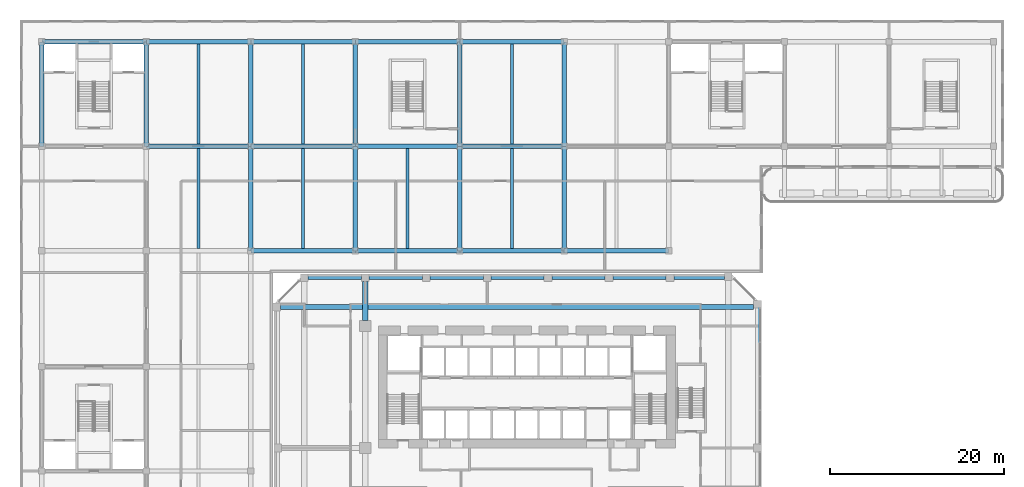
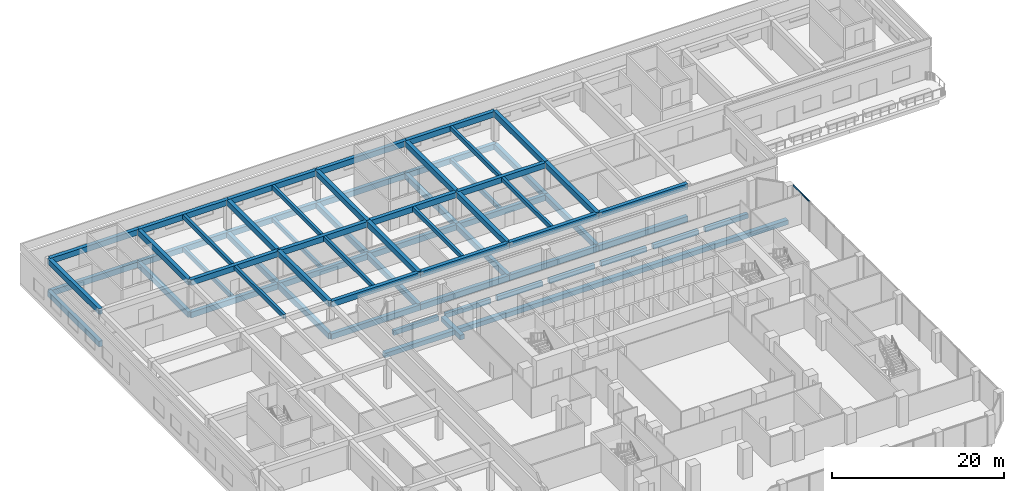
# One storey, part 9 of 35: 65 beams, 1 member, 1 element without a shape of its own.
"""IFC4 building model written with IfcOpenShell, lengths in metres."""

import ifcopenshell
import ifcopenshell.guid

model = None  # the IFC model being written
_history = None  # IfcOwnerHistory: only IFC2X3 demands one
_inside = {}  # id of a spatial element -> (the spatial element, [elements in it])
_under = {}  # id of a project, library or spatial element -> (it, [spatial elements below it])
_declared = {}  # id of a project -> (the project, [libraries it declares])
_typed = {}  # id of a type object -> (the type object, [elements of that type])
_made_of = {}  # id of a material, layer set ... -> (it, [elements and type objects made of it])


def new_model(schema):
    """Start an empty IFC model of exactly this schema.

    Asked for "IFC4X3", IfcOpenShell would pick the latest addendum, in which some entities
    have other attributes; the version numbers below select the first issue.
    IFC2X3 requires an IfcOwnerHistory on every rooted entity: one is made here for all.
    """
    global model, _history
    if schema == "IFC4X3":
        model = ifcopenshell.file(schema_version=(4, 3, 0, 0))
    else:
        model = ifcopenshell.file(schema=schema)
    _inside.clear()
    _under.clear()
    _declared.clear()
    _typed.clear()
    _made_of.clear()
    _history = None
    if model.schema == "IFC2X3":
        org = make("IfcOrganization", Name="unknown")
        user = make(
            "IfcPersonAndOrganization",
            ThePerson=make("IfcPerson", FamilyName="unknown"),
            TheOrganization=org,
        )
        app = make(
            "IfcApplication",
            ApplicationDeveloper=org,
            Version="unknown",
            ApplicationFullName="unknown",
            ApplicationIdentifier="unknown",
        )
        _history = make(
            "IfcOwnerHistory",
            OwningUser=user,
            OwningApplication=app,
            ChangeAction="ADDED",
            CreationDate=0,
        )
    return model


def make(cls, **values):
    """One entity of the class cls with the attributes given. An attribute that is None is left unset."""
    return model.create_entity(
        cls, **{name: value for name, value in values.items() if value is not None}
    )


def rooted(cls, **values):
    """An entity with a GlobalId (a new one), such as an element, a storey or a relation."""
    return make(cls, GlobalId=ifcopenshell.guid.new(), OwnerHistory=_history, **values)


def si_unit(unit_type, name, prefix=None):
    """IfcSIUnit, for example si_unit("LENGTHUNIT", "METRE", prefix="MILLI")."""
    return make("IfcSIUnit", UnitType=unit_type, Prefix=prefix, Name=name)


def assignment(units):
    """IfcUnitAssignment: the units of a project."""
    return None if units is None else make("IfcUnitAssignment", Units=units)


def point(xyz):
    """IfcCartesianPoint."""
    return None if xyz is None else make("IfcCartesianPoint", Coordinates=xyz)


def direction(xyz):
    """IfcDirection."""
    return None if xyz is None else make("IfcDirection", DirectionRatios=xyz)


def frame(location, z_axis=None, x_axis=None):
    """IfcAxis2Placement3D, a coordinate frame: its origin and axes. An axis left out is left unset."""
    return make(
        "IfcAxis2Placement3D",
        Location=point(location),
        Axis=direction(z_axis),
        RefDirection=direction(x_axis),
    )


def frame_2d(location, x_axis=None):
    """IfcAxis2Placement2D, a coordinate frame in the plane: its origin and x axis."""
    return make(
        "IfcAxis2Placement2D", Location=point(location), RefDirection=direction(x_axis)
    )


def origin():
    """The frame at (0, 0, 0) with its axes left unset."""
    return frame((0.0, 0.0, 0.0))


def origin_2d():
    """The frame at (0, 0) in the plane with its x axis left unset."""
    return frame_2d((0.0, 0.0))


def place(relative_to, where):
    """IfcLocalPlacement: puts the frame where relative to a parent placement (None: the world)."""
    return make(
        "IfcLocalPlacement", PlacementRelTo=relative_to, RelativePlacement=where
    )


def context(
    kind, dimensions, precision=None, world=None, true_north=None, identifier=None
):
    """IfcGeometricRepresentationContext, for example the 3D "Model" context."""
    return make(
        "IfcGeometricRepresentationContext",
        ContextIdentifier=identifier,
        ContextType=kind,
        CoordinateSpaceDimension=dimensions,
        Precision=precision,
        WorldCoordinateSystem=world,
        TrueNorth=true_north,
    )


def subcontext(parent, identifier, kind, view, scale=None):
    """IfcGeometricRepresentationSubContext, for example "Body" below "Model"."""
    return make(
        "IfcGeometricRepresentationSubContext",
        ContextIdentifier=identifier,
        ContextType=kind,
        ParentContext=parent,
        TargetScale=scale,
        TargetView=view,
    )


def project(units=None, contexts=None):
    """IfcProject with its units and contexts."""
    return rooted(
        "IfcProject",
        Name="project",
        RepresentationContexts=contexts,
        UnitsInContext=assignment(units),
    )


def spatial(cls, under=None, at=None, **own):
    """A site, building, storey or space (cls), placed at a placement, below another one or the project."""
    s = rooted(cls, ObjectPlacement=at, **own)
    if under is not None:
        _under.setdefault(under.id(), (under, []))[1].append(s)
    return s


def profile(cls, at=None, kind="AREA", **sizes):
    """A parametric profile (cls). Its sizes go by their IFC names, for example OverallWidth=200.0."""
    return make(cls, ProfileType=kind, Position=at, **sizes)


def rectangle(**sizes):
    """IfcRectangleProfileDef."""
    return profile("IfcRectangleProfileDef", **sizes)


def extrude(swept, where, along, depth):
    """IfcExtrudedAreaSolid: the profile swept, set in the frame where, extruded along a direction by depth."""
    return make(
        "IfcExtrudedAreaSolid",
        SweptArea=swept,
        Position=where,
        ExtrudedDirection=direction(along),
        Depth=depth,
    )


def shape(context_of_items, identifier, shape_type, items):
    """IfcShapeRepresentation: the items that make up one representation, for example the "Body"."""
    return make(
        "IfcShapeRepresentation",
        ContextOfItems=context_of_items,
        RepresentationIdentifier=identifier,
        RepresentationType=shape_type,
        Items=items,
    )


def source(mapping_origin, context_of_items, identifier, shape_type, items):
    """IfcRepresentationMap: a shape defined once, which mapped items show again and again."""
    return make(
        "IfcRepresentationMap",
        MappingOrigin=mapping_origin,
        MappedRepresentation=shape(context_of_items, identifier, shape_type, items),
    )


def transform(
    local_origin,
    x_axis=None,
    y_axis=None,
    z_axis=None,
    scale=None,
    scale2=None,
    scale3=None,
    uniform=True,
):
    """IfcCartesianTransformationOperator3D, or its non-uniform kind. x_axis, y_axis, z_axis: its Axis1, 2, 3."""
    if uniform:
        return make(
            "IfcCartesianTransformationOperator3D",
            Axis1=direction(x_axis),
            Axis2=direction(y_axis),
            LocalOrigin=point(local_origin),
            Scale=scale,
            Axis3=direction(z_axis),
        )
    return make(
        "IfcCartesianTransformationOperator3DnonUniform",
        Axis1=direction(x_axis),
        Axis2=direction(y_axis),
        LocalOrigin=point(local_origin),
        Scale=scale,
        Axis3=direction(z_axis),
        Scale2=scale2,
        Scale3=scale3,
    )


def mapped(mapping_source, mapping_target):
    """IfcMappedItem: shows the shape of a source again, moved by a transform."""
    return make(
        "IfcMappedItem", MappingSource=mapping_source, MappingTarget=mapping_target
    )


def material(Name=None, Category=None):
    """IfcMaterial."""
    return make("IfcMaterial", Name=Name, Category=Category)


def material_profile(
    of_material, cross_section, Name=None, Category=None, Priority=None
):
    """IfcMaterialProfile: a cross section and its material."""
    return make(
        "IfcMaterialProfile",
        Name=Name,
        Material=of_material,
        Profile=cross_section,
        Priority=Priority,
        Category=Category,
    )


def profile_set(profiles, Name=None, composite=None):
    """IfcMaterialProfileSet."""
    return make(
        "IfcMaterialProfileSet",
        Name=Name,
        MaterialProfiles=profiles,
        CompositeProfile=composite,
    )


def made_of(thing, what):
    """Note that an element or type object is made of a material, layer set ...; save() writes the relation."""
    if what is not None:
        _made_of.setdefault(what.id(), (what, []))[1].append(thing)
    return thing


def type_object(cls, material=None, **own):
    """A type object (cls), such as IfcWallType, which elements share."""
    return made_of(rooted(cls, **own), material)


def element(
    cls,
    number,
    at=None,
    inside=None,
    cuts=None,
    type_object=None,
    material=None,
    context=None,
    identifier="Body",
    shape_type=None,
    held_by="IfcProductDefinitionShape",
    body=None,
    shapes=None,
    **own,
):
    """One element of the class cls, such as IfcWall. Its Tag is "e" and its number.

    at: its placement. inside: the storey or other place that contains it. cuts: it is an
    opening in that element (IfcRelVoidsElement). A single representation is given by context,
    identifier, shape_type and body (its items); several are given by shapes. held_by: the class
    of the entity that holds the representations. save() writes the other relations.
    """
    e = rooted(cls, Tag="e%d" % number, ObjectPlacement=at, **own)
    if body is not None:
        shapes = [shape(context, identifier, shape_type, body)]
    if shapes is not None:
        e.Representation = make(held_by, Representations=shapes)
    if inside is not None:
        _inside.setdefault(inside.id(), (inside, []))[1].append(e)
    if cuts is not None:
        rooted(
            "IfcRelVoidsElement", RelatingBuildingElement=cuts, RelatedOpeningElement=e
        )
    if type_object is not None:
        _typed.setdefault(type_object.id(), (type_object, []))[1].append(e)
    return made_of(e, material)


def aggregate(whole, parts):
    """IfcRelAggregates: a whole, such as a stair, and the parts it consists of."""
    return rooted("IfcRelAggregates", RelatingObject=whole, RelatedObjects=parts)


def save(model, path):
    """Write the relations noted so far, then the file.

    IfcRelAggregates (storeys below a building ...), IfcRelContainedInSpatialStructure (elements
    in a storey), IfcRelDefinesByType, IfcRelAssociatesMaterial and IfcRelDeclares: one each for
    every whole, place, type object, material and project.
    """
    for whole, parts in _under.values():
        aggregate(whole, parts)
    for where, things in _inside.values():
        rooted(
            "IfcRelContainedInSpatialStructure",
            RelatedElements=things,
            RelatingStructure=where,
        )
    for kind, things in _typed.values():
        rooted("IfcRelDefinesByType", RelatedObjects=things, RelatingType=kind)
    for what, things in _made_of.values():
        rooted("IfcRelAssociatesMaterial", RelatedObjects=things, RelatingMaterial=what)
    for by, libraries in _declared.values():
        rooted("IfcRelDeclares", RelatingContext=by, RelatedDefinitions=libraries)
    model.write(path)


model = new_model("IFC4")

# Units and contexts
model_context = context("Model", 3, precision=1e-05, world=origin(), true_north=direction((0.0, 1.0)))
body_context = subcontext(model_context, "Body", "Model", "MODEL_VIEW")
ifc_project = project(units=[si_unit("LENGTHUNIT", "METRE"), si_unit("AREAUNIT", "SQUARE_METRE"), si_unit("VOLUMEUNIT", "CUBIC_METRE"), si_unit("PLANEANGLEUNIT", "RADIAN"), si_unit("MASSUNIT", "GRAM", prefix="KILO")], contexts=[model_context])

# Site, building, storey
site_placement = place(None, origin())
site = spatial("IfcSite", under=ifc_project, at=site_placement, CompositionType="ELEMENT")
building_placement = place(site_placement, origin())
building = spatial("IfcBuilding", under=site, at=building_placement, Name="Kilnfold Tower and Market Hall", CompositionType="ELEMENT")
storey_placement = place(building_placement, frame((0.0, 0.0, 22.5)))
storey = spatial("IfcBuildingStorey", under=building, at=storey_placement, Name="L04", CompositionType="ELEMENT", Elevation=22.5)

# Beams
ifc_material_1 = material(Name="Concrete C40/50", Category="concrete")
ifc_material_profile_1 = material_profile(ifc_material_1, rectangle(XDim=0.5, YDim=0.800048828125, at=origin_2d()), Name="RC 500x800")
ifc_profile_set_1 = profile_set([ifc_material_profile_1], Name="Concrete C40/50")
beam_type_1 = type_object("IfcBeamType", Name="HALL GIRDER 500X800", PredefinedType="BEAM", material=ifc_profile_set_1)
for number, where, z_axis, x_axis, name in (
    (1, (-54.64990234375, 42.64990234375, -0.800048828125), (0.0, 1.0, 0.0), (-1.0, 0.0, 0.0), "Beam MG2.15"),
    (2, (-54.64990234375, 54.64990234375, -0.800048828125), (1.0, 0.0, 0.0), (0.0, 1.0, 0.0), "Beam MG2.17"),
    (3, (-42.64990234375, 42.64990234375, -0.800048828125), (0.0, 1.0, 0.0), (-1.0, 0.0, 0.0), "Beam MG2.32"),
    (4, (-42.64990234375, 42.64990234375, -0.800048828125), (1.0, 0.0, 0.0), (0.0, 1.0, 0.0), "Beam MG2.33"),
    (5, (-42.64990234375, 54.64990234375, -0.800048828125), (1.0, 0.0, 0.0), (0.0, 1.0, 0.0), "Beam MG2.34"),
    (6, (-30.64990234375, 30.64990234375, -0.800048828125), (0.0, 1.0, 0.0), (-1.0, 0.0, 0.0), "Beam MG2.40"),
    (7, (-30.64990234375, 30.64990234375, -0.800048828125), (1.0, 0.0, 0.0), (0.0, 1.0, 0.0), "Beam MG2.41"),
    (8, (-30.64990234375, 42.64990234375, -0.800048828125), (0.0, 1.0, 0.0), (-1.0, 0.0, 0.0), "Beam MG2.42"),
    (9, (-30.64990234375, 42.64990234375, -0.800048828125), (1.0, 0.0, 0.0), (0.0, 1.0, 0.0), "Beam MG2.43"),
    (10, (-30.64990234375, 54.64990234375, -0.800048828125), (1.0, 0.0, 0.0), (0.0, 1.0, 0.0), "Beam MG2.44"),
    (11, (-18.64990234375, 30.64990234375, -0.800048828125), (0.0, 1.0, 0.0), (-1.0, 0.0, 0.0), "Beam MG2.45"),
    (12, (-18.64990234375, 30.64990234375, -0.800048828125), (1.0, 0.0, 0.0), (0.0, 1.0, 0.0), "Beam MG2.46"),
    (13, (-18.64990234375, 42.64990234375, -0.800048828125), (0.0, 1.0, 0.0), (-1.0, 0.0, 0.0), "Beam MG2.47"),
    (14, (-18.64990234375, 42.64990234375, -0.800048828125), (1.0, 0.0, 0.0), (0.0, 1.0, 0.0), "Beam MG2.48"),
    (15, (-18.64990234375, 54.64990234375, -0.800048828125), (1.0, 0.0, 0.0), (0.0, 1.0, 0.0), "Beam MG2.49"),
    (16, (-6.64990234375, 30.64990234375, -0.800048828125), (0.0, 1.0, 0.0), (-1.0, 0.0, 0.0), "Beam MG2.50"),
    (17, (-6.64990234375, 30.64990234375, -0.800048828125), (1.0, 0.0, 0.0), (0.0, 1.0, 0.0), "Beam MG2.51"),
    (18, (-6.64990234375, 42.64990234375, -0.800048828125), (0.0, 1.0, 0.0), (-1.0, 0.0, 0.0), "Beam MG2.52"),
    (19, (-6.64990234375, 42.64990234375, -0.800048828125), (1.0, 0.0, 0.0), (0.0, 1.0, 0.0), "Beam MG2.53"),
    (20, (-6.64990234375, 54.64990234375, -0.800048828125), (1.0, 0.0, 0.0), (0.0, 1.0, 0.0), "Beam MG2.54"),
    (21, (5.35009765625, 30.64990234375, -0.800048828125), (0.0, 1.0, 0.0), (-1.0, 0.0, 0.0), "Beam MG2.55"),
    (22, (5.35009765625, 30.64990234375, -0.800048828125), (1.0, 0.0, 0.0), (0.0, 1.0, 0.0), "Beam MG2.56"),
    (23, (5.35009765625, 42.64990234375, -0.800048828125), (0.0, 1.0, 0.0), (-1.0, 0.0, 0.0), "Beam MG2.57"),
    (24, (-54.64990234375, 42.64990234375, 3.820068359375), (0.0, 1.0, 0.0), (-1.0, 0.0, 0.0), "Roof beam MG2.R15"),
    (25, (-54.64990234375, 54.64990234375, 3.820068359375), (1.0, 0.0, 0.0), (0.0, 1.0, 0.0), "Roof beam MG2.R17"),
    (26, (-42.64990234375, 42.64990234375, 3.820068359375), (0.0, 1.0, 0.0), (-1.0, 0.0, 0.0), "Roof beam MG2.R30"),
    (27, (-42.64990234375, 42.64990234375, 3.820068359375), (1.0, 0.0, 0.0), (0.0, 1.0, 0.0), "Roof beam MG2.R31"),
    (28, (-42.64990234375, 54.64990234375, 3.820068359375), (1.0, 0.0, 0.0), (0.0, 1.0, 0.0), "Roof beam MG2.R32"),
    (29, (-30.64990234375, 30.64990234375, 3.820068359375), (0.0, 1.0, 0.0), (-1.0, 0.0, 0.0), "Roof beam MG2.R37"),
    (30, (-30.64990234375, 30.64990234375, 3.820068359375), (1.0, 0.0, 0.0), (0.0, 1.0, 0.0), "Roof beam MG2.R38"),
    (31, (-30.64990234375, 42.64990234375, 3.820068359375), (0.0, 1.0, 0.0), (-1.0, 0.0, 0.0), "Roof beam MG2.R39"),
    (32, (-30.64990234375, 42.64990234375, 3.820068359375), (1.0, 0.0, 0.0), (0.0, 1.0, 0.0), "Roof beam MG2.R40"),
    (33, (-30.64990234375, 54.64990234375, 3.820068359375), (1.0, 0.0, 0.0), (0.0, 1.0, 0.0), "Roof beam MG2.R41"),
    (34, (-18.64990234375, 30.64990234375, 3.820068359375), (0.0, 1.0, 0.0), (-1.0, 0.0, 0.0), "Roof beam MG2.R42"),
    (35, (-18.64990234375, 30.64990234375, 3.820068359375), (1.0, 0.0, 0.0), (0.0, 1.0, 0.0), "Roof beam MG2.R43"),
    (36, (-18.64990234375, 42.64990234375, 3.820068359375), (0.0, 1.0, 0.0), (-1.0, 0.0, 0.0), "Roof beam MG2.R44"),
    (37, (-18.64990234375, 42.64990234375, 3.820068359375), (1.0, 0.0, 0.0), (0.0, 1.0, 0.0), "Roof beam MG2.R45"),
    (38, (-18.64990234375, 54.64990234375, 3.820068359375), (1.0, 0.0, 0.0), (0.0, 1.0, 0.0), "Roof beam MG2.R46"),
    (39, (-6.64990234375, 30.64990234375, 3.820068359375), (0.0, 1.0, 0.0), (-1.0, 0.0, 0.0), "Roof beam MG2.R47"),
    (40, (-6.64990234375, 30.64990234375, 3.820068359375), (1.0, 0.0, 0.0), (0.0, 1.0, 0.0), "Roof beam MG2.R48"),
    (41, (-6.64990234375, 42.64990234375, 3.820068359375), (0.0, 1.0, 0.0), (-1.0, 0.0, 0.0), "Roof beam MG2.R49"),
    (42, (-6.64990234375, 42.64990234375, 3.820068359375), (1.0, 0.0, 0.0), (0.0, 1.0, 0.0), "Roof beam MG2.R50"),
    (43, (-6.64990234375, 54.64990234375, 3.820068359375), (1.0, 0.0, 0.0), (0.0, 1.0, 0.0), "Roof beam MG2.R51"),
    (44, (5.35009765625, 30.64990234375, 3.820068359375), (0.0, 1.0, 0.0), (-1.0, 0.0, 0.0), "Roof beam MG2.R52"),
    (45, (5.35009765625, 30.64990234375, 3.820068359375), (1.0, 0.0, 0.0), (0.0, 1.0, 0.0), "Roof beam MG2.R53"),
    (46, (5.35009765625, 42.64990234375, 3.820068359375), (0.0, 1.0, 0.0), (-1.0, 0.0, 0.0), "Roof beam MG2.R54"),
):
    element("IfcBeam", number, at=place(storey_placement, frame(where, z_axis=z_axis, x_axis=x_axis)), inside=storey, type_object=beam_type_1, Name=name, PredefinedType="BEAM", context=body_context, shape_type="SweptSolid", body=[
        extrude(rectangle(XDim=0.5, YDim=0.800048828125, at=origin_2d()), origin(), (0.0, 0.0, 1.0), 12.0),
    ])
ifc_material_2 = material(Name="Concrete C40/50", Category="concrete")
ifc_material_profile_2 = material_profile(ifc_material_2, rectangle(XDim=0.35009765625, YDim=0.60009765625, at=origin_2d()), Name="RC 350x600")
ifc_profile_set_2 = profile_set([ifc_material_profile_2], Name="Concrete C40/50")
beam_type_2 = type_object("IfcBeamType", Name="HALL JOIST 350X600", PredefinedType="BEAM", material=ifc_profile_set_2)
for number, where, z_axis, x_axis, name in (
    (47, (-36.64990234375, 42.89990234375, -0.699951171875), (0.0, 1.0, 0.0), (-1.0, 0.0, 0.0), "Beam MJ1.7"),
    (48, (-24.64990234375, 42.89990234375, -0.699951171875), (0.0, 1.0, 0.0), (-1.0, 0.0, 0.0), "Beam MJ1.8"),
    (49, (-0.64990234375, 42.89990234375, -0.699951171875), (0.0, 1.0, 0.0), (-1.0, 0.0, 0.0), "Beam MJ1.9"),
    (50, (-36.64990234375, 30.89990234375, 3.919921875), (0.0, 1.0, 0.0), (-1.0, 0.0, 0.0), "Roof beam MJ1.R7"),
    (51, (-36.64990234375, 42.89990234375, 3.919921875), (0.0, 1.0, 0.0), (-1.0, 0.0, 0.0), "Roof beam MJ1.R8"),
    (52, (-24.64990234375, 30.89990234375, 3.919921875), (0.0, 1.0, 0.0), (-1.0, 0.0, 0.0), "Roof beam MJ1.R9"),
    (53, (-24.64990234375, 42.89990234375, 3.919921875), (0.0, 1.0, 0.0), (-1.0, 0.0, 0.0), "Roof beam MJ1.R10"),
    (54, (-12.64990234375, 30.89990234375, 3.919921875), (0.0, 1.0, 0.0), (-1.0, 0.0, 0.0), "Roof beam MJ1.R11"),
    (55, (-0.64990234375, 30.89990234375, 3.919921875), (0.0, 1.0, 0.0), (-1.0, 0.0, 0.0), "Roof beam MJ1.R12"),
    (56, (-0.64990234375, 42.89990234375, 3.919921875), (0.0, 1.0, 0.0), (-1.0, 0.0, 0.0), "Roof beam MJ1.R13"),
):
    element("IfcBeam", number, at=place(storey_placement, frame(where, z_axis=z_axis, x_axis=x_axis)), inside=storey, type_object=beam_type_2, Name=name, PredefinedType="BEAM", context=body_context, shape_type="SweptSolid", body=[
        extrude(rectangle(XDim=0.35009765625, YDim=0.60009765625, at=origin_2d()), origin(), (0.0, 0.0, 1.0), 11.5),
    ])
ifc_material_3 = material(Name="Concrete C45", Category="concrete")
ifc_material_profile_3 = material_profile(ifc_material_3, rectangle(XDim=0.449951171875, YDim=0.64990234375, at=origin_2d()), Name="RC 450x650")
ifc_profile_set_3 = profile_set([ifc_material_profile_3], Name="Concrete C45")
beam_type_3 = type_object("IfcBeamType", Name="EDGE BEAM 450X650 C45", PredefinedType="BEAM", material=ifc_profile_set_3)
shared_shape_1 = source(origin(), body_context, "Body", "SweptSolid", [
    extrude(rectangle(XDim=0.449951171875, YDim=0.64990234375, at=origin_2d()), origin(), (0.0, 0.0, 1.0), 6.10009765625),
])
for number, where, z_axis, x_axis, name in (
    (57, (-24.050048828125, 27.550048828125, -0.72509765625), (1.0, 0.0, 0.0), (0.0, 1.0, 0.0), "Beam EB650-B1.23"),
    (58, (-17.050048828125, 27.550048828125, -0.72509765625), (1.0, 0.0, 0.0), (0.0, 1.0, 0.0), "Beam EB650-B1.24"),
    (59, (-10.050048828125, 27.550048828125, -0.72509765625), (1.0, 0.0, 0.0), (0.0, 1.0, 0.0), "Beam EB650-B1.25"),
    (60, (-3.050048828125, 27.550048828125, -0.72509765625), (1.0, 0.0, 0.0), (0.0, 1.0, 0.0), "Beam EB650-B1.26"),
    (61, (3.949951171875, 27.550048828125, -0.72509765625), (1.0, 0.0, 0.0), (0.0, 1.0, 0.0), "Beam EB650-B1.27"),
    (62, (10.949951171875, 27.550048828125, -0.72509765625), (1.0, 0.0, 0.0), (0.0, 1.0, 0.0), "Beam EB650-B1.28"),
):
    element("IfcBeam", number, at=place(storey_placement, frame(where, z_axis=z_axis, x_axis=x_axis)), inside=storey, type_object=beam_type_3, Name=name, PredefinedType="BEAM", context=body_context, shape_type="MappedRepresentation", body=[
        mapped(shared_shape_1, transform((0.0, 0.0, 0.0))),
    ])
ifc_material_4 = material(Name="Concrete C45", Category="concrete")
ifc_material_profile_4 = material_profile(ifc_material_4, rectangle(XDim=0.60009765625, YDim=0.64990234375, at=origin_2d()), Name="RC 600x650")
ifc_profile_set_4 = profile_set([ifc_material_profile_4], Name="Concrete C45")
beam_type_4 = type_object("IfcBeamType", Name="BEAM 600X650 C45", PredefinedType="BEAM", material=ifc_profile_set_4)
shared_shape_2 = source(origin(), body_context, "Body", "SweptSolid", [
    extrude(rectangle(XDim=0.60009765625, YDim=0.64990234375, at=origin_2d()), origin(), (0.0, 0.0, 1.0), 54.331787109375),
])
beam_1_placement = place(storey_placement, frame((-27.231689453125, 24.179931640625, -0.72509765625), z_axis=(1.0, 0.0, 0.0), x_axis=(0.0, 1.0, 0.0)))
element("IfcBeam", 63, at=beam_1_placement, inside=storey, type_object=beam_type_4, Name="Beam BB650-B1.22", PredefinedType="BEAM", context=body_context, shape_type="MappedRepresentation", body=[
    mapped(shared_shape_2, transform((0.0, 0.0, 0.0))),
])
shared_shape_3 = source(origin(), body_context, "Body", "SweptSolid", [
    extrude(rectangle(XDim=0.449951171875, YDim=0.64990234375, at=origin_2d()), origin(), (0.0, 0.0, 1.0), 5.78173828125),
])
beam_2_placement = place(storey_placement, frame((17.949951171875, 27.550048828125, -0.72509765625), z_axis=(1.0, 0.0, 0.0), x_axis=(0.0, 1.0, 0.0)))
element("IfcBeam", 64, at=beam_2_placement, inside=storey, type_object=beam_type_3, Name="Beam EB650-B1.29", PredefinedType="BEAM", context=body_context, shape_type="MappedRepresentation", body=[
    mapped(shared_shape_3, transform((0.0, 0.0, 0.0))),
])
shared_shape_4 = source(origin(), body_context, "Body", "SweptSolid", [
    extrude(rectangle(XDim=0.60009765625, YDim=0.64990234375, at=origin_2d()), origin(), (0.0, 0.0, 1.0), 4.4501953125),
])
beam_3_placement = place(storey_placement, frame((-17.5, 22.64990234375, -0.72509765625), z_axis=(0.0, 1.0, 0.0), x_axis=(-1.0, 0.0, 0.0)))
element("IfcBeam", 65, at=beam_3_placement, inside=storey, type_object=beam_type_4, Name="Beam BB650-B1.39", PredefinedType="BEAM", context=body_context, shape_type="MappedRepresentation", body=[
    mapped(shared_shape_4, transform((0.0, 0.0, 0.0))),
])

# Curtain wall, member
ifc_material_5 = material(Name="Aluminium and double glazing", Category="aluminium")
curtain_wall_type = type_object("IfcCurtainWallType", Name="CW BASE PODIUM GLAZING", PredefinedType="NOTDEFINED", material=ifc_material_5)
curtain_wall_placement = place(storey_placement, origin())
curtain_wall = element("IfcCurtainWall", 66, at=curtain_wall_placement, inside=storey, type_object=curtain_wall_type, Name="Curtain wall CW4 L04 E", PredefinedType="NOTDEFINED")
ifc_material_6 = material(Name="Aluminium", Category="aluminium")
ifc_material_profile_5 = material_profile(ifc_material_6, rectangle(XDim=0.070068359375, YDim=0.159912109375, at=origin_2d()), Name="TRANSOM 70x160")
ifc_profile_set_5 = profile_set([ifc_material_profile_5], Name="Aluminium")
member_type = type_object("IfcMemberType", Name="TRANSOM 70X160", PredefinedType="USERDEFINED", material=ifc_profile_set_5)
shared_shape_5 = source(origin(), body_context, "Body", "SweptSolid", [
    extrude(rectangle(XDim=0.070068359375, YDim=0.159912109375, at=origin_2d()), origin(), (0.0, 0.0, 1.0), 3.760009765625),
])
member_placement = place(storey_placement, frame((27.85009765625, 20.219970703125, 4.18505859375), z_axis=(0.0, 1.0, 0.0), x_axis=(-1.0, 0.0, 0.0)))
member = element("IfcMember", 67, at=member_placement, type_object=member_type, Name="CW4 transom 1.2", ObjectType="TRANSOM", PredefinedType="USERDEFINED", context=body_context, shape_type="MappedRepresentation", body=[
    mapped(shared_shape_5, transform((0.0, 0.0, 0.0))),
])
aggregate(curtain_wall, [member])

save(model, "model.ifc")
